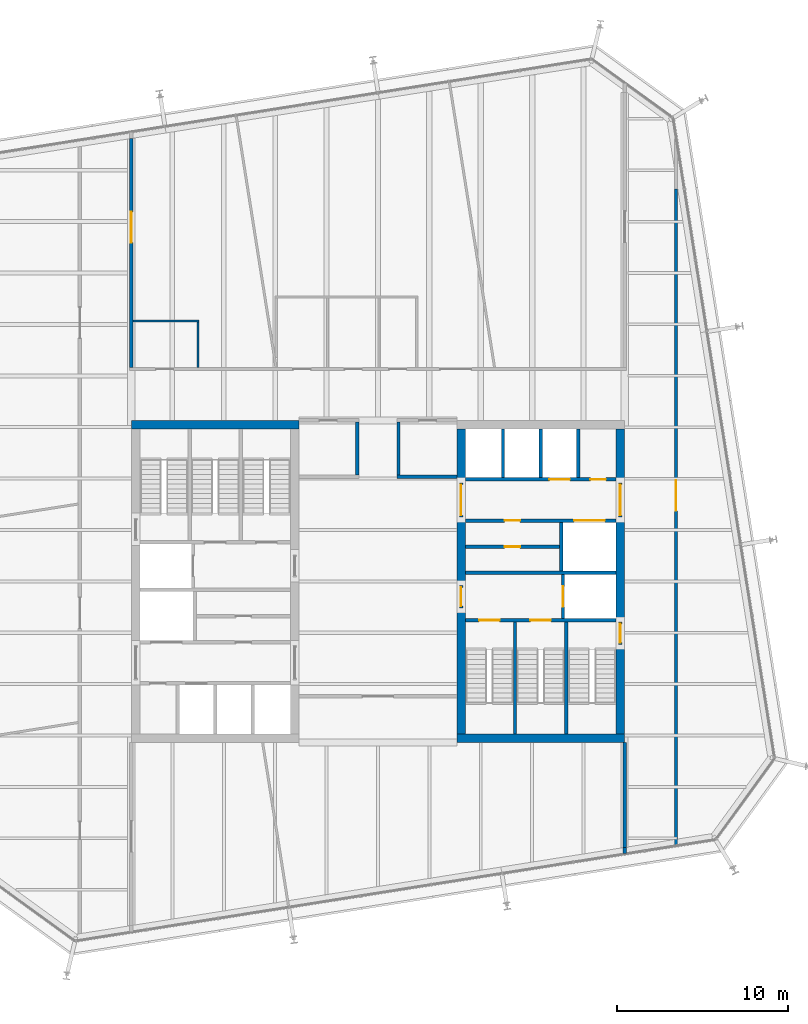
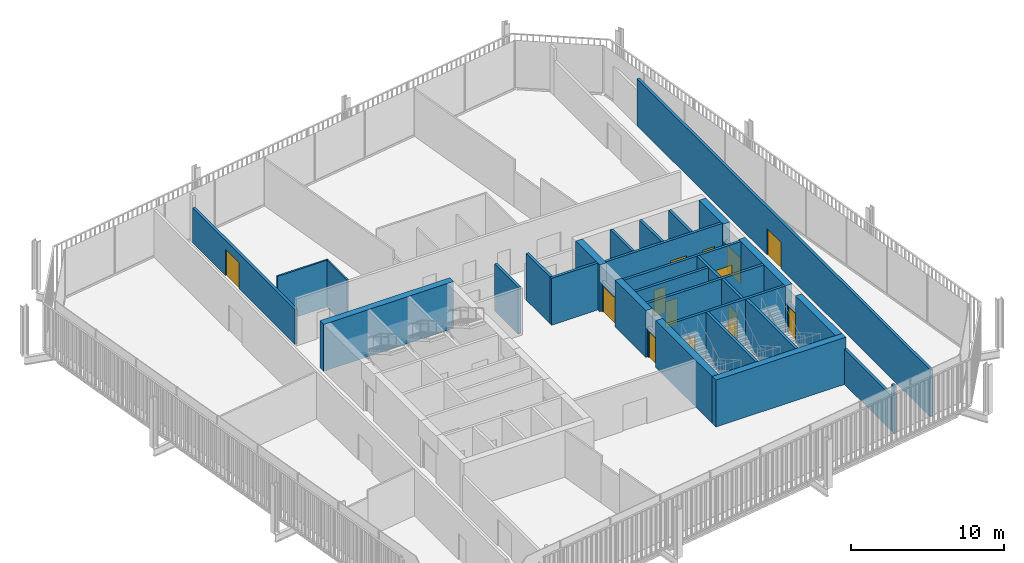
# One storey, part 17 of 20: 33 walls, 14 doors, 14 openings.
"""IFC4 building model written with IfcOpenShell, lengths in metres."""

from ifc_helpers import new_model, si_unit, direction, frame, frame_2d, origin, place, context, subcontext, project, spatial, rectangle, extrude, material, layer, layer_set, type_object, element, fill, save


model = new_model("IFC4")

# Units and contexts
model_context = context("Model", 3, precision=1e-05, world=origin(), true_north=direction((0.0, 1.0)))
body_context = subcontext(model_context, "Body", "Model", "MODEL_VIEW")
ifc_project = project(units=[si_unit("LENGTHUNIT", "METRE"), si_unit("AREAUNIT", "SQUARE_METRE"), si_unit("VOLUMEUNIT", "CUBIC_METRE"), si_unit("PLANEANGLEUNIT", "RADIAN"), si_unit("MASSUNIT", "GRAM", prefix="KILO")], contexts=[model_context])

# Site, building, storey
site_placement = place(None, origin())
site = spatial("IfcSite", under=ifc_project, at=site_placement, CompositionType="ELEMENT")
building_placement = place(site_placement, origin())
building = spatial("IfcBuilding", under=site, at=building_placement, Name="Millrace Tower", CompositionType="ELEMENT")
storey_placement = place(building_placement, frame((0.0, 0.0, 208.60009765625)))
storey = spatial("IfcBuildingStorey", under=building, at=storey_placement, Name="L47", CompositionType="ELEMENT", Elevation=208.60009765625)

# Walls
ifc_material_1 = material(Name="Concrete C60", Category="concrete")
ifc_layer_1 = layer(ifc_material_1, 0.5)
ifc_layer_set_1 = layer_set([ifc_layer_1], Name="Concrete C60")
wall_type_1 = type_object("IfcWallType", Name="Core wall 500 Concrete C60", PredefinedType="SHEAR", material=ifc_layer_set_1)
for number, where, z_axis, x_axis, name in (
    (1, (-14.39990234375, 9.14990234375, 0.0), (0.0, 0.0, 1.0), (1.0, 0.0, 0.0), "Core wall W L47"),
    (2, (14.39990234375, -9.14990234375, 0.0), (0.0, 0.0, 1.0), (-1.0, 0.0, 0.0), "Core wall E L47"),
):
    element("IfcWall", number, at=place(storey_placement, frame(where, z_axis=z_axis, x_axis=x_axis)), inside=storey, type_object=wall_type_1, Name=name, PredefinedType="SHEAR", context=body_context, shape_type="SweptSolid", body=[
        extrude(rectangle(XDim=9.7998046875, YDim=0.5, at=frame_2d((4.89990234375, 0.0))), origin(), (0.0, 0.0, 1.0), 3.739990234375),
    ])
wall_1_placement = place(storey_placement, frame((14.14990234375, 8.89990234375, 0.0), z_axis=(0.0, 0.0, 1.0), x_axis=(0.0, -1.0, 0.0)))
element("IfcWall", 3, at=wall_1_placement, inside=storey, type_object=wall_type_1, Name="Core wall E L47", PredefinedType="SHEAR", context=body_context, shape_type="SweptSolid", body=[
    extrude(rectangle(XDim=3.14990234375, YDim=0.5, at=frame_2d((1.574951171875, 0.0))), origin(), (0.0, 0.0, 1.0), 3.739990234375),
])
wall_2_placement = place(storey_placement, frame((14.14990234375, 3.75, 0.0), z_axis=(0.0, 0.0, 1.0), x_axis=(0.0, -1.0, 0.0)))
element("IfcWall", 4, at=wall_2_placement, inside=storey, type_object=wall_type_1, Name="Core wall E L47", PredefinedType="SHEAR", context=body_context, shape_type="SweptSolid", body=[
    extrude(rectangle(XDim=6.1298828125, YDim=0.5, at=frame_2d((3.06494140625, 0.0))), origin(), (0.0, 0.0, 1.0), 3.739990234375),
])
wall_3_placement = place(storey_placement, frame((14.14990234375, -3.679931640625, 0.0), z_axis=(0.0, 0.0, 1.0), x_axis=(0.0, -1.0, 0.0)))
element("IfcWall", 5, at=wall_3_placement, inside=storey, type_object=wall_type_1, Name="Core wall E L47", PredefinedType="SHEAR", context=body_context, shape_type="SweptSolid", body=[
    extrude(rectangle(XDim=5.219970703125, YDim=0.5, at=frame_2d((2.60986328125, 0.0))), origin(), (0.0, 0.0, 1.0), 3.739990234375),
])
wall_4_placement = place(storey_placement, frame((4.85009765625, 8.89990234375, 0.0), z_axis=(0.0, 0.0, 1.0), x_axis=(0.0, -1.0, 0.0)))
element("IfcWall", 6, at=wall_4_placement, inside=storey, type_object=wall_type_1, Name="Core wall E L47", PredefinedType="SHEAR", context=body_context, shape_type="SweptSolid", body=[
    extrude(rectangle(XDim=3.14990234375, YDim=0.5, at=frame_2d((1.574951171875, 0.0))), origin(), (0.0, 0.0, 1.0), 3.739990234375),
])
wall_5_placement = place(storey_placement, frame((4.85009765625, 3.75, 0.0), z_axis=(0.0, 0.0, 1.0), x_axis=(0.0, -1.0, 0.0)))
element("IfcWall", 7, at=wall_5_placement, inside=storey, type_object=wall_type_1, Name="Core wall E L47", PredefinedType="SHEAR", context=body_context, shape_type="SweptSolid", body=[
    extrude(rectangle(XDim=4.0, YDim=0.5, at=frame_2d((2.0, 0.0))), origin(), (0.0, 0.0, 1.0), 3.739990234375),
])
wall_6_placement = place(storey_placement, frame((4.85009765625, -1.550048828125, 0.0), z_axis=(0.0, 0.0, 1.0), x_axis=(0.0, -1.0, 0.0)))
element("IfcWall", 8, at=wall_6_placement, inside=storey, type_object=wall_type_1, Name="Core wall E L47", PredefinedType="SHEAR", context=body_context, shape_type="SweptSolid", body=[
    extrude(rectangle(XDim=7.349853515625, YDim=0.5, at=frame_2d((3.6748046875, 0.0))), origin(), (0.0, 0.0, 1.0), 3.739990234375),
])
ifc_material_2 = material(Name="Masonry partition, fire-rated", Category="masonry")
ifc_layer_2 = layer(ifc_material_2, 0.199951171875)
ifc_layer_set_2 = layer_set([ifc_layer_2], Name="Masonry partition, fire-rated")
wall_type_2 = type_object("IfcWallType", Name="Corridor wall 200", PredefinedType="PARTITIONING", material=ifc_layer_set_2)
wall_7_placement = place(storey_placement, frame((1.10009765625, 6.10009765625, 0.0), z_axis=(0.0, 0.0, 1.0), x_axis=(1.0, 0.0, 0.0)))
element("IfcWall", 9, at=wall_7_placement, inside=storey, type_object=wall_type_2, Name="Corridor wall L47", PredefinedType="PARTITIONING", context=body_context, shape_type="SweptSolid", body=[
    extrude(rectangle(XDim=3.5, YDim=0.199951171875, at=frame_2d((1.75, 0.0))), origin(), (0.0, 0.0, 1.0), 3.739990234375),
])

# Wall, opening, door
wall_8_placement = place(storey_placement, frame((17.39990234375, -15.3994140625, 0.0), z_axis=(0.0, 0.0, 1.0), x_axis=(0.0, 1.0, 0.0)))
wall_8 = element("IfcWall", 10, at=wall_8_placement, inside=storey, type_object=wall_type_2, Name="Corridor wall L47", PredefinedType="PARTITIONING", context=body_context, shape_type="SweptSolid", body=[
    extrude(rectangle(XDim=38.3046875, YDim=0.199951171875, at=frame_2d((19.15234375, 0.0))), origin(), (0.0, 0.0, 1.0), 3.739990234375),
])
opening_1_placement = place(wall_8_placement, frame((19.511962890625, 0.0, 0.0)))
opening_1 = element("IfcOpeningElement", 11, at=opening_1_placement, cuts=wall_8, Name="Opening 47-P013", PredefinedType="OPENING", context=body_context, shape_type="SweptSolid", body=[
    extrude(rectangle(XDim=1.800048828125, YDim=2.10009765625, at=frame_2d((0.89990234375, 1.050048828125))), frame((0.0, 0.10986328125, 0.0), z_axis=(0.0, -1.0, 0.0), x_axis=(1.0, 0.0, 0.0)), (0.0, 0.0, 1.0), 0.219970703125),
])
ifc_material_3 = material(Name="Steel door set, fire-rated", Category="steel")
door_type_1 = type_object("IfcDoorType", Name="Corridor door 1800 x 2100", OperationType="DOUBLE_DOOR_SINGLE_SWING", PredefinedType="DOOR", material=ifc_material_3)
door_1_placement = place(opening_1_placement, frame((1.800048828125, 0.0, 0.0), z_axis=(0.0, 0.0, 1.0), x_axis=(-1.0, 0.0, 0.0)))
door_1 = element("IfcDoor", 12, at=door_1_placement, inside=storey, type_object=door_type_1, Name="Door 47-P013", OperationType="DOUBLE_DOOR_SINGLE_SWING", OverallHeight=2.10009765625, OverallWidth=1.800048828125, PredefinedType="DOOR", context=body_context, shape_type="SweptSolid", body=[
    extrude(rectangle(XDim=1.800048828125, YDim=2.10009765625, at=frame_2d((0.89990234375, 1.050048828125))), frame((0.0, 0.02490234375, 0.0), z_axis=(0.0, -1.0, 0.0), x_axis=(1.0, 0.0, 0.0)), (0.0, 0.0, 1.0), 0.050048828125),
])
fill(opening_1, door_1)

# Walls
wall_9_placement = place(storey_placement, frame((14.39990234375, -15.87451171875, 0.0), z_axis=(0.0, 0.0, 1.0), x_axis=(0.0, 1.0, 0.0)))
element("IfcWall", 13, at=wall_9_placement, inside=storey, type_object=wall_type_2, Name="Corridor wall L47", PredefinedType="PARTITIONING", context=body_context, shape_type="SweptSolid", body=[
    extrude(rectangle(XDim=0.349609375, YDim=0.199951171875, at=frame_2d((0.1748046875, 0.0))), origin(), (0.0, 0.0, 1.0), 3.739990234375),
])
wall_10_placement = place(storey_placement, frame((14.39990234375, -15.52490234375, 0.0), z_axis=(0.0, 0.0, 1.0), x_axis=(0.0, 1.0, 0.0)))
element("IfcWall", 14, at=wall_10_placement, inside=storey, type_object=wall_type_2, Name="Corridor wall L47", PredefinedType="PARTITIONING", context=body_context, shape_type="SweptSolid", body=[
    extrude(rectangle(XDim=6.125, YDim=0.199951171875, at=frame_2d((3.0625, 0.0))), origin(), (0.0, 0.0, 1.0), 2.812744140625),
])
for number, where, z_axis, x_axis, name in (
    (15, (1.199951171875, 6.199951171875, 0.0), (0.0, 0.0, 1.0), (0.0, 1.0, 0.0), "Corridor wall L47"),
    (16, (-1.199951171875, 6.199951171875, 0.0), (0.0, 0.0, 1.0), (0.0, 1.0, 0.0), "Corridor wall L47"),
):
    element("IfcWall", number, at=place(storey_placement, frame(where, z_axis=z_axis, x_axis=x_axis)), inside=storey, type_object=wall_type_2, Name=name, PredefinedType="PARTITIONING", context=body_context, shape_type="SweptSolid", body=[
        extrude(rectangle(XDim=3.10009765625, YDim=0.199951171875, at=frame_2d((1.550048828125, 0.0))), origin(), (0.0, 0.0, 1.0), 3.739990234375),
    ])

# Wall, opening, door
wall_11_placement = place(storey_placement, frame((-14.39990234375, 12.5, 0.0), z_axis=(0.0, 0.0, 1.0), x_axis=(0.0, 1.0, 0.0)))
wall_11 = element("IfcWall", 17, at=wall_11_placement, inside=storey, type_object=wall_type_2, Name="Corridor wall L47", PredefinedType="PARTITIONING", context=body_context, shape_type="SweptSolid", body=[
    extrude(rectangle(XDim=13.3486328125, YDim=0.199951171875, at=frame_2d((6.67431640625, 0.0))), origin(), (0.0, 0.0, 1.0), 2.79248046875),
])
opening_2_placement = place(wall_11_placement, frame((7.27392578125, 0.0, 0.0)))
opening_2 = element("IfcOpeningElement", 18, at=opening_2_placement, cuts=wall_11, Name="Opening 47-P006", PredefinedType="OPENING", context=body_context, shape_type="SweptSolid", body=[
    extrude(rectangle(XDim=1.800048828125, YDim=2.10009765625, at=frame_2d((0.89990234375, 1.050048828125))), frame((0.0, 0.10986328125, 0.0), z_axis=(0.0, -1.0, 0.0), x_axis=(1.0, 0.0, 0.0)), (0.0, 0.0, 1.0), 0.219970703125),
])
door_2_placement = place(opening_2_placement, frame((1.800048828125, 0.0, 0.0), z_axis=(0.0, 0.0, 1.0), x_axis=(-1.0, 0.0, 0.0)))
door_2 = element("IfcDoor", 19, at=door_2_placement, inside=storey, type_object=door_type_1, Name="Door 47-P006", OperationType="DOUBLE_DOOR_SINGLE_SWING", OverallHeight=2.10009765625, OverallWidth=1.800048828125, PredefinedType="DOOR", context=body_context, shape_type="SweptSolid", body=[
    extrude(rectangle(XDim=1.800048828125, YDim=2.10009765625, at=frame_2d((0.89990234375, 1.050048828125))), frame((0.0, 0.02490234375, 0.0), z_axis=(0.0, -1.0, 0.0), x_axis=(1.0, 0.0, 0.0)), (0.0, 0.0, 1.0), 0.050048828125),
])
fill(opening_2, door_2)

# Wall, openings, doors
ifc_material_4 = material(Name="Masonry partition, fire-rated", Category="masonry")
ifc_layer_3 = layer(ifc_material_4, 0.199951171875)
ifc_layer_set_3 = layer_set([ifc_layer_3], Name="Masonry partition, fire-rated")
wall_type_3 = type_object("IfcWallType", Name="Lift shaft wall 200", PredefinedType="PARTITIONING", material=ifc_layer_set_3)
wall_12_placement = place(storey_placement, frame((13.89990234375, 5.949951171875, 0.0), z_axis=(0.0, 0.0, 1.0), x_axis=(-1.0, 0.0, 0.0)))
wall_12 = element("IfcWall", 20, at=wall_12_placement, inside=storey, type_object=wall_type_3, Name="Lift shaft wall E L47", PredefinedType="PARTITIONING", context=body_context, shape_type="SweptSolid", body=[
    extrude(rectangle(XDim=8.7998046875, YDim=0.199951171875, at=frame_2d((4.39990234375, 0.0))), origin(), (0.0, 0.0, 1.0), 3.739990234375),
])
opening_3_placement = place(wall_12_placement, frame((2.699951171875, 0.0, 0.0)))
opening_3 = element("IfcOpeningElement", 21, at=opening_3_placement, cuts=wall_12, Name="Opening 47-LD10", PredefinedType="OPENING", context=body_context, shape_type="SweptSolid", body=[
    extrude(rectangle(XDim=1.199951171875, YDim=2.10009765625, at=frame_2d((0.60009765625, 1.050048828125))), frame((0.0, 0.10986328125, 0.0), z_axis=(0.0, -1.0, 0.0), x_axis=(1.0, 0.0, 0.0)), (0.0, 0.0, 1.0), 0.219970703125),
])
opening_4_placement = place(wall_12_placement, frame((0.60009765625, 0.0, 0.0)))
opening_4 = element("IfcOpeningElement", 22, at=opening_4_placement, cuts=wall_12, Name="Opening 47-C014", PredefinedType="OPENING", context=body_context, shape_type="SweptSolid", body=[
    extrude(rectangle(XDim=0.89990234375, YDim=2.10009765625, at=frame_2d((0.449951171875, 1.050048828125))), frame((0.0, 0.10986328125, 0.0), z_axis=(0.0, -1.0, 0.0), x_axis=(1.0, 0.0, 0.0)), (0.0, 0.0, 1.0), 0.219970703125),
])
ifc_material_5 = material(Name="Stainless steel, fire-rated", Category="steel")
door_type_2 = type_object("IfcDoorType", Name="Lift landing door 1200 x 2100", OperationType="DOUBLE_DOOR_SLIDING", PredefinedType="DOOR", material=ifc_material_5)
door_3_placement = place(opening_3_placement, origin())
door_3 = element("IfcDoor", 23, at=door_3_placement, inside=storey, type_object=door_type_2, Name="Lift landing door LF10 L47", OperationType="DOUBLE_DOOR_SLIDING", OverallHeight=2.10009765625, OverallWidth=1.199951171875, PredefinedType="DOOR", context=body_context, shape_type="SweptSolid", body=[
    extrude(rectangle(XDim=1.199951171875, YDim=2.10009765625, at=frame_2d((0.60009765625, 1.050048828125))), frame((0.0, 0.02490234375, 0.0), z_axis=(0.0, -1.0, 0.0), x_axis=(1.0, 0.0, 0.0)), (0.0, 0.0, 1.0), 0.050048828125),
])
fill(opening_3, door_3)
ifc_material_6 = material(Name="Steel door, fire-rated", Category="steel")
door_type_3 = type_object("IfcDoorType", Name="Service room door 900 x 2100", OperationType="SINGLE_SWING_LEFT", PredefinedType="DOOR", material=ifc_material_6)
door_4_placement = place(opening_4_placement, frame((0.89990234375, 0.0, 0.0), z_axis=(0.0, 0.0, 1.0), x_axis=(-1.0, 0.0, 0.0)))
door_4 = element("IfcDoor", 24, at=door_4_placement, inside=storey, type_object=door_type_3, Name="Service room door 47-C014", OperationType="SINGLE_SWING_RIGHT", OverallHeight=2.10009765625, OverallWidth=0.89990234375, PredefinedType="DOOR", context=body_context, shape_type="SweptSolid", body=[
    extrude(rectangle(XDim=0.89990234375, YDim=2.10009765625, at=frame_2d((0.449951171875, 1.050048828125))), frame((0.0, 0.02490234375, 0.0), z_axis=(0.0, -1.0, 0.0), x_axis=(1.0, 0.0, 0.0)), (0.0, 0.0, 1.0), 0.050048828125),
])
fill(opening_4, door_4)

wall_13_placement = place(storey_placement, frame((13.89990234375, 3.550048828125, 0.0), z_axis=(0.0, 0.0, 1.0), x_axis=(-1.0, 0.0, 0.0)))
wall_13 = element("IfcWall", 25, at=wall_13_placement, inside=storey, type_object=wall_type_3, Name="Lift shaft wall E L47", PredefinedType="PARTITIONING", context=body_context, shape_type="SweptSolid", body=[
    extrude(rectangle(XDim=8.7998046875, YDim=0.199951171875, at=frame_2d((4.39990234375, 0.0))), origin(), (0.0, 0.0, 1.0), 3.739990234375),
])
opening_5_placement = place(wall_13_placement, frame((0.64990234375, 0.0, 0.0)))
opening_5 = element("IfcOpeningElement", 26, at=opening_5_placement, cuts=wall_13, Name="Opening 47-LD13", PredefinedType="OPENING", context=body_context, shape_type="SweptSolid", body=[
    extrude(rectangle(XDim=1.800048828125, YDim=2.10009765625, at=frame_2d((0.89990234375, 1.050048828125))), frame((0.0, 0.10986328125, 0.0), z_axis=(0.0, -1.0, 0.0), x_axis=(1.0, 0.0, 0.0)), (0.0, 0.0, 1.0), 0.219970703125),
])
opening_6_placement = place(wall_13_placement, frame((5.60009765625, 0.0, 0.0)))
opening_6 = element("IfcOpeningElement", 27, at=opening_6_placement, cuts=wall_13, Name="Opening 47-C015", PredefinedType="OPENING", context=body_context, shape_type="SweptSolid", body=[
    extrude(rectangle(XDim=0.89990234375, YDim=2.10009765625, at=frame_2d((0.449951171875, 1.050048828125))), frame((0.0, 0.10986328125, 0.0), z_axis=(0.0, -1.0, 0.0), x_axis=(1.0, 0.0, 0.0)), (0.0, 0.0, 1.0), 0.219970703125),
])
ifc_material_7 = material(Name="Stainless steel, fire-rated", Category="steel")
door_type_4 = type_object("IfcDoorType", Name="Lift landing door 1800 x 2100", OperationType="DOUBLE_DOOR_SLIDING", PredefinedType="DOOR", material=ifc_material_7)
door_5_placement = place(opening_5_placement, origin())
door_5 = element("IfcDoor", 28, at=door_5_placement, inside=storey, type_object=door_type_4, Name="Lift landing door LF13 L47", OperationType="DOUBLE_DOOR_SLIDING", OverallHeight=2.10009765625, OverallWidth=1.800048828125, PredefinedType="DOOR", context=body_context, shape_type="SweptSolid", body=[
    extrude(rectangle(XDim=1.800048828125, YDim=2.10009765625, at=frame_2d((0.89990234375, 1.050048828125))), frame((0.0, 0.02490234375, 0.0), z_axis=(0.0, -1.0, 0.0), x_axis=(1.0, 0.0, 0.0)), (0.0, 0.0, 1.0), 0.050048828125),
])
fill(opening_5, door_5)
door_6_placement = place(opening_6_placement, frame((0.89990234375, 0.0, 0.0), z_axis=(0.0, 0.0, 1.0), x_axis=(-1.0, 0.0, 0.0)))
door_6 = element("IfcDoor", 29, at=door_6_placement, inside=storey, type_object=door_type_3, Name="Service room door 47-C015", OperationType="SINGLE_SWING_LEFT", OverallHeight=2.10009765625, OverallWidth=0.89990234375, PredefinedType="DOOR", context=body_context, shape_type="SweptSolid", body=[
    extrude(rectangle(XDim=0.89990234375, YDim=2.10009765625, at=frame_2d((0.449951171875, 1.050048828125))), frame((0.0, 0.02490234375, 0.0), z_axis=(0.0, -1.0, 0.0), x_axis=(1.0, 0.0, 0.0)), (0.0, 0.0, 1.0), 0.050048828125),
])
fill(opening_6, door_6)

# Wall
wall_14_placement = place(storey_placement, frame((13.89990234375, 0.5, 0.0), z_axis=(0.0, 0.0, 1.0), x_axis=(-1.0, 0.0, 0.0)))
element("IfcWall", 30, at=wall_14_placement, inside=storey, type_object=wall_type_3, Name="Lift shaft wall E L47", PredefinedType="PARTITIONING", context=body_context, shape_type="SweptSolid", body=[
    extrude(rectangle(XDim=8.7998046875, YDim=0.199951171875, at=frame_2d((4.39990234375, 0.0))), origin(), (0.0, 0.0, 1.0), 3.739990234375),
])

# Wall, opening, door
wall_15_placement = place(storey_placement, frame((10.800048828125, 0.39990234375, 0.0), z_axis=(0.0, 0.0, 1.0), x_axis=(0.0, -1.0, 0.0)))
wall_15 = element("IfcWall", 31, at=wall_15_placement, inside=storey, type_object=wall_type_3, Name="Lift shaft wall E L47", PredefinedType="PARTITIONING", context=body_context, shape_type="SweptSolid", body=[
    extrude(rectangle(XDim=2.579833984375, YDim=0.199951171875, at=frame_2d((1.2900390625, 0.0))), origin(), (0.0, 0.0, 1.0), 3.739990234375),
])
opening_7_placement = place(wall_15_placement, frame((0.68994140625, 0.0, 0.0)))
opening_7 = element("IfcOpeningElement", 32, at=opening_7_placement, cuts=wall_15, Name="Opening 47-LD16", PredefinedType="OPENING", context=body_context, shape_type="SweptSolid", body=[
    extrude(rectangle(XDim=1.199951171875, YDim=2.10009765625, at=frame_2d((0.60009765625, 1.050048828125))), frame((0.0, 0.10986328125, 0.0), z_axis=(0.0, -1.0, 0.0), x_axis=(1.0, 0.0, 0.0)), (0.0, 0.0, 1.0), 0.219970703125),
])
door_7_placement = place(opening_7_placement, origin())
door_7 = element("IfcDoor", 33, at=door_7_placement, inside=storey, type_object=door_type_2, Name="Lift landing door LF16 L47", OperationType="DOUBLE_DOOR_SLIDING", OverallHeight=2.10009765625, OverallWidth=1.199951171875, PredefinedType="DOOR", context=body_context, shape_type="SweptSolid", body=[
    extrude(rectangle(XDim=1.199951171875, YDim=2.10009765625, at=frame_2d((0.60009765625, 1.050048828125))), frame((0.0, 0.02490234375, 0.0), z_axis=(0.0, -1.0, 0.0), x_axis=(1.0, 0.0, 0.0)), (0.0, 0.0, 1.0), 0.050048828125),
])
fill(opening_7, door_7)

# Walls
for number, where, z_axis, x_axis, name in (
    (34, (11.699951171875, 8.89990234375, 0.0), (0.0, 0.0, 1.0), (0.0, -1.0, 0.0), "Lift shaft wall E L47"),
    (35, (9.5, 8.89990234375, 0.0), (0.0, 0.0, 1.0), (0.0, -1.0, 0.0), "Lift shaft wall E L47"),
    (36, (7.300048828125, 8.89990234375, 0.0), (0.0, 0.0, 1.0), (0.0, -1.0, 0.0), "Lift shaft wall E L47"),
    (37, (10.699951171875, 3.449951171875, 0.0), (0.0, 0.0, 1.0), (0.0, -1.0, 0.0), "Lift shaft wall E L47"),
):
    element("IfcWall", number, at=place(storey_placement, frame(where, z_axis=z_axis, x_axis=x_axis)), inside=storey, type_object=wall_type_3, Name=name, PredefinedType="PARTITIONING", context=body_context, shape_type="SweptSolid", body=[
        extrude(rectangle(XDim=2.849853515625, YDim=0.199951171875, at=frame_2d((1.4248046875, 0.0))), origin(), (0.0, 0.0, 1.0), 3.739990234375),
    ])

# Wall, opening, door
ifc_material_8 = material(Name="Masonry partition, fire-rated", Category="masonry")
ifc_layer_4 = layer(ifc_material_8, 0.199951171875)
ifc_layer_set_4 = layer_set([ifc_layer_4], Name="Masonry partition, fire-rated")
wall_type_4 = type_object("IfcWallType", Name="Lobby wall 200", PredefinedType="PARTITIONING", material=ifc_layer_set_4)
wall_16_placement = place(storey_placement, frame((14.14990234375, 5.75, 0.0), z_axis=(0.0, 0.0, 1.0), x_axis=(0.0, -1.0, 0.0)))
wall_16 = element("IfcWall", 38, at=wall_16_placement, inside=storey, type_object=wall_type_4, Name="Lobby wall E L47", PredefinedType="PARTITIONING", context=body_context, shape_type="SweptSolid", body=[
    extrude(rectangle(XDim=2.0, YDim=0.199951171875, at=frame_2d((1.0, 0.0))), origin(), (0.0, 0.0, 1.0), 2.39990234375),
])
opening_8_placement = place(wall_16_placement, frame((0.10009765625, 0.0, 0.0)))
opening_8 = element("IfcOpeningElement", 39, at=opening_8_placement, cuts=wall_16, Name="Opening 47-C010", PredefinedType="OPENING", context=body_context, shape_type="SweptSolid", body=[
    extrude(rectangle(XDim=1.800048828125, YDim=2.10009765625, at=frame_2d((0.89990234375, 1.050048828125))), frame((0.0, 0.10986328125, 0.0), z_axis=(0.0, -1.0, 0.0), x_axis=(1.0, 0.0, 0.0)), (0.0, 0.0, 1.0), 0.219970703125),
])
ifc_material_9 = material(Name="Steel door, fire-rated", Category="steel")
door_type_5 = type_object("IfcDoorType", Name="Lobby door 1800 x 2100", OperationType="DOUBLE_DOOR_SINGLE_SWING", PredefinedType="DOOR", material=ifc_material_9)
door_8_placement = place(opening_8_placement, origin())
door_8 = element("IfcDoor", 40, at=door_8_placement, inside=storey, type_object=door_type_5, Name="Lobby door 47-C010", OperationType="DOUBLE_DOOR_SINGLE_SWING", OverallHeight=2.10009765625, OverallWidth=1.800048828125, PredefinedType="DOOR", context=body_context, shape_type="SweptSolid", body=[
    extrude(rectangle(XDim=1.800048828125, YDim=2.10009765625, at=frame_2d((0.89990234375, 1.050048828125))), frame((0.0, 0.02490234375, 0.0), z_axis=(0.0, -1.0, 0.0), x_axis=(1.0, 0.0, 0.0)), (0.0, 0.0, 1.0), 0.050048828125),
])
fill(opening_8, door_8)

wall_17_placement = place(storey_placement, frame((4.85009765625, 5.75, 0.0), z_axis=(0.0, 0.0, 1.0), x_axis=(0.0, -1.0, 0.0)))
wall_17 = element("IfcWall", 41, at=wall_17_placement, inside=storey, type_object=wall_type_4, Name="Lobby wall E L47", PredefinedType="PARTITIONING", context=body_context, shape_type="SweptSolid", body=[
    extrude(rectangle(XDim=2.0, YDim=0.199951171875, at=frame_2d((1.0, 0.0))), origin(), (0.0, 0.0, 1.0), 2.39990234375),
])
opening_9_placement = place(wall_17_placement, frame((0.10009765625, 0.0, 0.0)))
opening_9 = element("IfcOpeningElement", 42, at=opening_9_placement, cuts=wall_17, Name="Opening 47-C012", PredefinedType="OPENING", context=body_context, shape_type="SweptSolid", body=[
    extrude(rectangle(XDim=1.800048828125, YDim=2.10009765625, at=frame_2d((0.89990234375, 1.050048828125))), frame((0.0, 0.10986328125, 0.0), z_axis=(0.0, -1.0, 0.0), x_axis=(1.0, 0.0, 0.0)), (0.0, 0.0, 1.0), 0.219970703125),
])
door_9_placement = place(opening_9_placement, frame((1.800048828125, 0.0, 0.0), z_axis=(0.0, 0.0, 1.0), x_axis=(-1.0, 0.0, 0.0)))
door_9 = element("IfcDoor", 43, at=door_9_placement, inside=storey, type_object=door_type_5, Name="Lobby door 47-C012", OperationType="DOUBLE_DOOR_SINGLE_SWING", OverallHeight=2.10009765625, OverallWidth=1.800048828125, PredefinedType="DOOR", context=body_context, shape_type="SweptSolid", body=[
    extrude(rectangle(XDim=1.800048828125, YDim=2.10009765625, at=frame_2d((0.89990234375, 1.050048828125))), frame((0.0, 0.02490234375, 0.0), z_axis=(0.0, -1.0, 0.0), x_axis=(1.0, 0.0, 0.0)), (0.0, 0.0, 1.0), 0.050048828125),
])
fill(opening_9, door_9)

wall_18_placement = place(storey_placement, frame((4.85009765625, -0.25, 0.0), z_axis=(0.0, 0.0, 1.0), x_axis=(0.0, -1.0, 0.0)))
wall_18 = element("IfcWall", 44, at=wall_18_placement, inside=storey, type_object=wall_type_4, Name="Lobby wall E L47", PredefinedType="PARTITIONING", context=body_context, shape_type="SweptSolid", body=[
    extrude(rectangle(XDim=1.300048828125, YDim=0.199951171875, at=frame_2d((0.64990234375, 0.0))), origin(), (0.0, 0.0, 1.0), 2.39990234375),
])
opening_10_placement = place(wall_18_placement, frame((0.10009765625, 0.0, 0.0)))
opening_10 = element("IfcOpeningElement", 45, at=opening_10_placement, cuts=wall_18, Name="Opening 47-C013", PredefinedType="OPENING", context=body_context, shape_type="SweptSolid", body=[
    extrude(rectangle(XDim=1.10009765625, YDim=2.10009765625, at=frame_2d((0.550048828125, 1.050048828125))), frame((0.0, 0.10986328125, 0.0), z_axis=(0.0, -1.0, 0.0), x_axis=(1.0, 0.0, 0.0)), (0.0, 0.0, 1.0), 0.219970703125),
])
ifc_material_10 = material(Name="Steel door, fire-rated", Category="steel")
door_type_6 = type_object("IfcDoorType", Name="Lobby door 1100 x 2100", OperationType="SINGLE_SWING_LEFT", PredefinedType="DOOR", material=ifc_material_10)
door_10_placement = place(opening_10_placement, frame((1.10009765625, 0.0, 0.0), z_axis=(0.0, 0.0, 1.0), x_axis=(-1.0, 0.0, 0.0)))
door_10 = element("IfcDoor", 46, at=door_10_placement, inside=storey, type_object=door_type_6, Name="Lobby door 47-C013", OperationType="SINGLE_SWING_LEFT", OverallHeight=2.10009765625, OverallWidth=1.10009765625, PredefinedType="DOOR", context=body_context, shape_type="SweptSolid", body=[
    extrude(rectangle(XDim=1.10009765625, YDim=2.10009765625, at=frame_2d((0.550048828125, 1.050048828125))), frame((0.0, 0.02490234375, 0.0), z_axis=(0.0, -1.0, 0.0), x_axis=(1.0, 0.0, 0.0)), (0.0, 0.0, 1.0), 0.050048828125),
])
fill(opening_10, door_10)

# Walls
ifc_material_11 = material(Name="Gypsum board partition")
ifc_layer_5 = layer(ifc_material_11, 0.1201171875)
ifc_layer_set_5 = layer_set([ifc_layer_5], Name="Gypsum board partition")
wall_type_5 = type_object("IfcWallType", Name="Partition wall 120", PredefinedType="PARTITIONING", material=ifc_layer_set_5)
wall_19_placement = place(storey_placement, frame((-14.300048828125, 15.199951171875, 0.0), z_axis=(0.0, 0.0, 1.0), x_axis=(1.0, 0.0, 0.0)))
element("IfcWall", 47, at=wall_19_placement, inside=storey, type_object=wall_type_5, Name="Partition wall L47", PredefinedType="PARTITIONING", context=body_context, shape_type="SweptSolid", body=[
    extrude(rectangle(XDim=3.860107421875, YDim=0.1201171875, at=frame_2d((1.93017578125, 0.0))), origin(), (0.0, 0.0, 1.0), 3.739990234375),
])
wall_20_placement = place(storey_placement, frame((-10.5, 12.5, 0.0), z_axis=(0.0, 0.0, 1.0), x_axis=(0.0, 1.0, 0.0)))
element("IfcWall", 48, at=wall_20_placement, inside=storey, type_object=wall_type_5, Name="Partition wall L47", PredefinedType="PARTITIONING", context=body_context, shape_type="SweptSolid", body=[
    extrude(rectangle(XDim=2.639892578125, YDim=0.1201171875, at=frame_2d((1.31982421875, 0.0))), origin(), (0.0, 0.0, 1.0), 3.739990234375),
])

# Wall, opening, door
ifc_material_12 = material(Name="Masonry partition, fire-rated", Category="masonry")
ifc_layer_6 = layer(ifc_material_12, 0.199951171875)
ifc_layer_set_6 = layer_set([ifc_layer_6], Name="Masonry partition, fire-rated")
wall_type_6 = type_object("IfcWallType", Name="Room partition 200", PredefinedType="PARTITIONING", material=ifc_layer_set_6)
wall_21_placement = place(storey_placement, frame((10.60009765625, 2.02490234375, 0.0), z_axis=(0.0, 0.0, 1.0), x_axis=(-1.0, 0.0, 0.0)))
wall_21 = element("IfcWall", 49, at=wall_21_placement, inside=storey, type_object=wall_type_6, Name="Room partition E L47", PredefinedType="PARTITIONING", context=body_context, shape_type="SweptSolid", body=[
    extrude(rectangle(XDim=5.5, YDim=0.199951171875, at=frame_2d((2.75, 0.0))), origin(), (0.0, 0.0, 1.0), 3.739990234375),
])
opening_11_placement = place(wall_21_placement, frame((2.300048828125, 0.0, 0.0)))
opening_11 = element("IfcOpeningElement", 50, at=opening_11_placement, cuts=wall_21, Name="Opening 47-C016", PredefinedType="OPENING", context=body_context, shape_type="SweptSolid", body=[
    extrude(rectangle(XDim=0.89990234375, YDim=2.10009765625, at=frame_2d((0.449951171875, 1.050048828125))), frame((0.0, 0.10986328125, 0.0), z_axis=(0.0, -1.0, 0.0), x_axis=(1.0, 0.0, 0.0)), (0.0, 0.0, 1.0), 0.219970703125),
])
door_11_placement = place(opening_11_placement, origin())
door_11 = element("IfcDoor", 51, at=door_11_placement, inside=storey, type_object=door_type_3, Name="Service room door 47-C016", OperationType="SINGLE_SWING_RIGHT", OverallHeight=2.10009765625, OverallWidth=0.89990234375, PredefinedType="DOOR", context=body_context, shape_type="SweptSolid", body=[
    extrude(rectangle(XDim=0.89990234375, YDim=2.10009765625, at=frame_2d((0.449951171875, 1.050048828125))), frame((0.0, 0.02490234375, 0.0), z_axis=(0.0, -1.0, 0.0), x_axis=(1.0, 0.0, 0.0)), (0.0, 0.0, 1.0), 0.050048828125),
])
fill(opening_11, door_11)

ifc_material_13 = material(Name="Concrete C40", Category="concrete")
ifc_layer_7 = layer(ifc_material_13, 0.199951171875)
ifc_layer_set_7 = layer_set([ifc_layer_7], Name="Concrete C40")
wall_type_7 = type_object("IfcWallType", Name="Stair enclosure wall 200 Concrete C40", PredefinedType="SHEAR", material=ifc_layer_set_7)
wall_22_placement = place(storey_placement, frame((14.14990234375, -2.3798828125, 0.0), z_axis=(0.0, 0.0, 1.0), x_axis=(0.0, -1.0, 0.0)))
wall_22 = element("IfcWall", 52, at=wall_22_placement, inside=storey, type_object=wall_type_7, Name="Stair enclosure wall E L47", PredefinedType="SHEAR", context=body_context, shape_type="SweptSolid", body=[
    extrude(rectangle(XDim=1.300048828125, YDim=0.199951171875, at=frame_2d((0.64990234375, 0.0))), origin(), (0.0, 0.0, 1.0), 2.39990234375),
])
opening_12_placement = place(wall_22_placement, frame((0.10009765625, 0.0, 0.0)))
opening_12 = element("IfcOpeningElement", 53, at=opening_12_placement, cuts=wall_22, Name="Opening 47-C011", PredefinedType="OPENING", context=body_context, shape_type="SweptSolid", body=[
    extrude(rectangle(XDim=1.10009765625, YDim=2.10009765625, at=frame_2d((0.550048828125, 1.050048828125))), frame((0.0, 0.10986328125, 0.0), z_axis=(0.0, -1.0, 0.0), x_axis=(1.0, 0.0, 0.0)), (0.0, 0.0, 1.0), 0.219970703125),
])
ifc_material_14 = material(Name="Steel door, fire-rated", Category="steel")
door_type_7 = type_object("IfcDoorType", Name="Stair door 1100 x 2100", OperationType="SINGLE_SWING_LEFT", PredefinedType="DOOR", material=ifc_material_14)
door_12_placement = place(opening_12_placement, origin())
door_12 = element("IfcDoor", 54, at=door_12_placement, inside=storey, type_object=door_type_7, Name="Stair door 47-C011", OperationType="SINGLE_SWING_LEFT", OverallHeight=2.10009765625, OverallWidth=1.10009765625, PredefinedType="DOOR", context=body_context, shape_type="SweptSolid", body=[
    extrude(rectangle(XDim=1.10009765625, YDim=2.10009765625, at=frame_2d((0.550048828125, 1.050048828125))), frame((0.0, 0.02490234375, 0.0), z_axis=(0.0, -1.0, 0.0), x_axis=(1.0, 0.0, 0.0)), (0.0, 0.0, 1.0), 0.050048828125),
])
fill(opening_12, door_12)

# Wall, openings, doors
wall_23_placement = place(storey_placement, frame((13.89990234375, -2.280029296875, 0.0), z_axis=(0.0, 0.0, 1.0), x_axis=(-1.0, 0.0, 0.0)))
wall_23 = element("IfcWall", 55, at=wall_23_placement, inside=storey, type_object=wall_type_7, Name="Stair enclosure wall E L47", PredefinedType="SHEAR", context=body_context, shape_type="SweptSolid", body=[
    extrude(rectangle(XDim=8.7998046875, YDim=0.199951171875, at=frame_2d((4.39990234375, 0.0))), origin(), (0.0, 0.0, 1.0), 3.739990234375),
])
opening_13_placement = place(wall_23_placement, frame((3.800048828125, 0.0, 0.0)))
opening_13 = element("IfcOpeningElement", 56, at=opening_13_placement, cuts=wall_23, Name="Opening 47-C017", PredefinedType="OPENING", context=body_context, shape_type="SweptSolid", body=[
    extrude(rectangle(XDim=1.199951171875, YDim=2.10009765625, at=frame_2d((0.60009765625, 1.050048828125))), frame((0.0, 0.10986328125, 0.0), z_axis=(0.0, -1.0, 0.0), x_axis=(1.0, 0.0, 0.0)), (0.0, 0.0, 1.0), 0.219970703125),
])
opening_14_placement = place(wall_23_placement, frame((6.800048828125, 0.0, 0.0)))
opening_14 = element("IfcOpeningElement", 57, at=opening_14_placement, cuts=wall_23, Name="Opening 47-C018", PredefinedType="OPENING", context=body_context, shape_type="SweptSolid", body=[
    extrude(rectangle(XDim=1.199951171875, YDim=2.10009765625, at=frame_2d((0.60009765625, 1.050048828125))), frame((0.0, 0.10986328125, 0.0), z_axis=(0.0, -1.0, 0.0), x_axis=(1.0, 0.0, 0.0)), (0.0, 0.0, 1.0), 0.219970703125),
])
ifc_material_15 = material(Name="Steel door, fire-rated", Category="steel")
door_type_8 = type_object("IfcDoorType", Name="Stair door 1200 x 2100", OperationType="SINGLE_SWING_LEFT", PredefinedType="DOOR", material=ifc_material_15)
door_13_placement = place(opening_13_placement, frame((1.199951171875, 0.0, 0.0), z_axis=(0.0, 0.0, 1.0), x_axis=(-1.0, 0.0, 0.0)))
door_13 = element("IfcDoor", 58, at=door_13_placement, inside=storey, type_object=door_type_8, Name="Stair door 47-C017", OperationType="SINGLE_SWING_RIGHT", OverallHeight=2.10009765625, OverallWidth=1.199951171875, PredefinedType="DOOR", context=body_context, shape_type="SweptSolid", body=[
    extrude(rectangle(XDim=1.199951171875, YDim=2.10009765625, at=frame_2d((0.60009765625, 1.050048828125))), frame((0.0, 0.02490234375, 0.0), z_axis=(0.0, -1.0, 0.0), x_axis=(1.0, 0.0, 0.0)), (0.0, 0.0, 1.0), 0.050048828125),
])
fill(opening_13, door_13)
door_14_placement = place(opening_14_placement, frame((1.199951171875, 0.0, 0.0), z_axis=(0.0, 0.0, 1.0), x_axis=(-1.0, 0.0, 0.0)))
door_14 = element("IfcDoor", 59, at=door_14_placement, inside=storey, type_object=door_type_8, Name="Stair door 47-C018", OperationType="SINGLE_SWING_LEFT", OverallHeight=2.10009765625, OverallWidth=1.199951171875, PredefinedType="DOOR", context=body_context, shape_type="SweptSolid", body=[
    extrude(rectangle(XDim=1.199951171875, YDim=2.10009765625, at=frame_2d((0.60009765625, 1.050048828125))), frame((0.0, 0.02490234375, 0.0), z_axis=(0.0, -1.0, 0.0), x_axis=(1.0, 0.0, 0.0)), (0.0, 0.0, 1.0), 0.050048828125),
])
fill(opening_14, door_14)

# Walls
for number, where, z_axis, x_axis, name in (
    (60, (11.0, -2.3798828125, 0.0), (0.0, 0.0, 1.0), (0.0, -1.0, 0.0), "Stair enclosure wall E L47"),
    (61, (8.0, -2.3798828125, 0.0), (0.0, 0.0, 1.0), (0.0, -1.0, 0.0), "Stair enclosure wall E L47"),
):
    element("IfcWall", number, at=place(storey_placement, frame(where, z_axis=z_axis, x_axis=x_axis)), inside=storey, type_object=wall_type_7, Name=name, PredefinedType="SHEAR", context=body_context, shape_type="SweptSolid", body=[
        extrude(rectangle(XDim=6.52001953125, YDim=0.199951171875, at=frame_2d((3.260009765625, 0.0))), origin(), (0.0, 0.0, 1.0), 3.739990234375),
    ])

save(model, "model.ifc")
